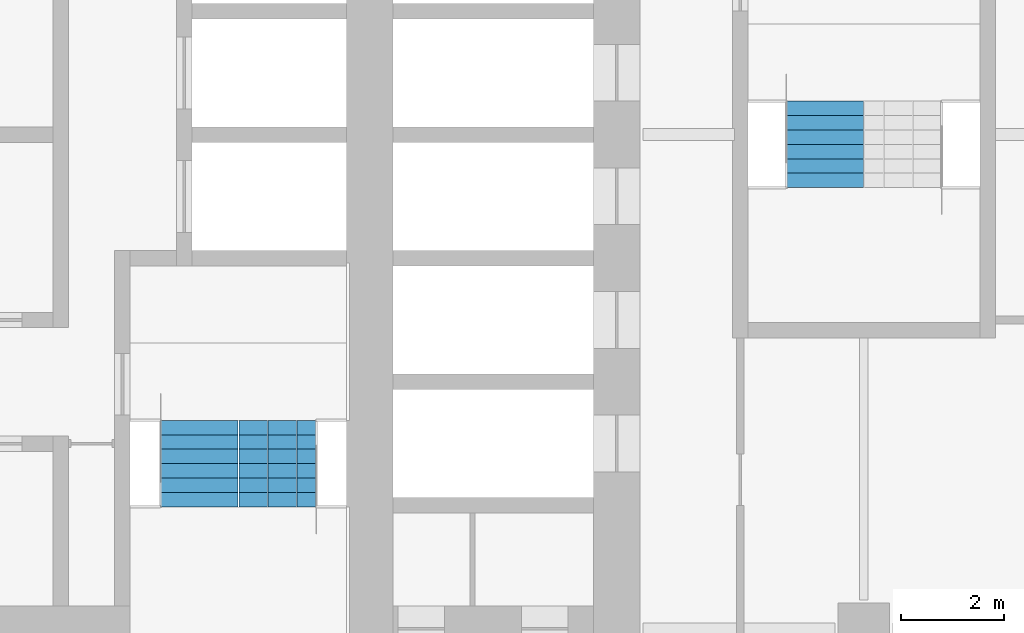
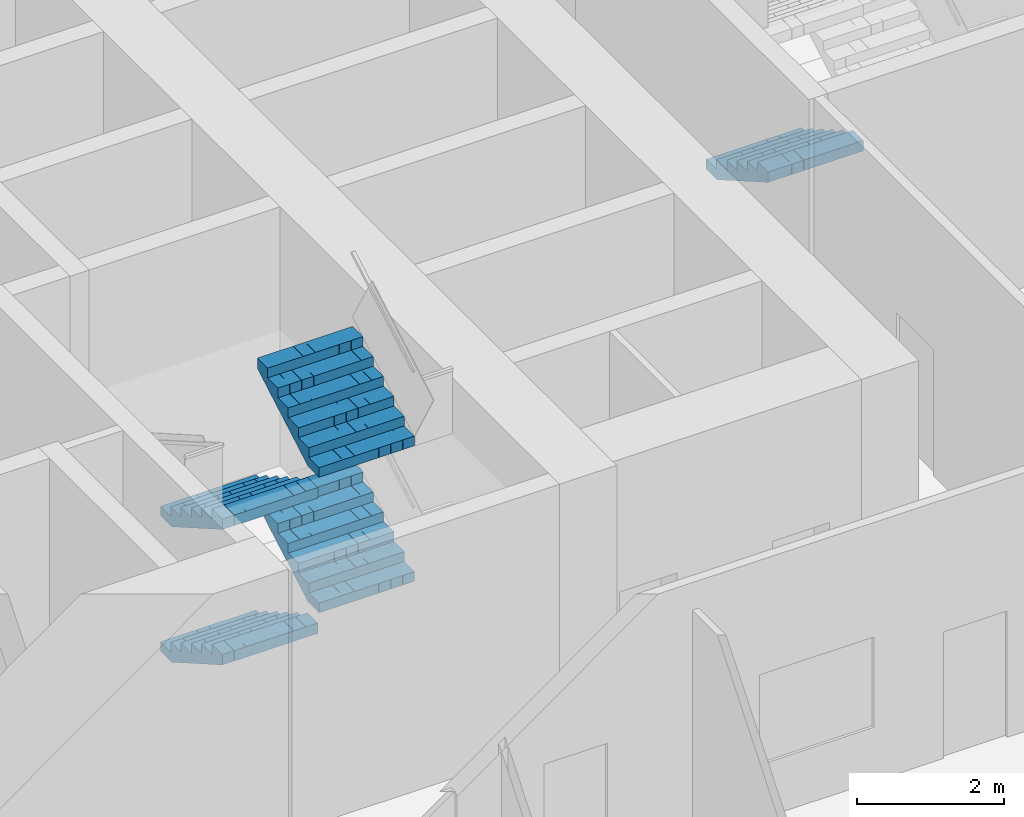
# One storey, part 19 of 23: 5 stair flights, 2 elements without a shape of their own.
"""IFC4 building model written with IfcOpenShell, lengths in metres."""

from ifc_helpers import new_model, si_unit, direction, frame, origin, place, context, subcontext, project, spatial, polyline, outline, extrude, material, type_object, element, aggregate, save


model = new_model("IFC4")

# Units and contexts
model_context = context("Model", 3, precision=1e-05, world=origin(), true_north=direction((0.0, 1.0)))
body_context = subcontext(model_context, "Body", "Model", "MODEL_VIEW")
ifc_project = project(units=[si_unit("LENGTHUNIT", "METRE"), si_unit("AREAUNIT", "SQUARE_METRE"), si_unit("VOLUMEUNIT", "CUBIC_METRE"), si_unit("PLANEANGLEUNIT", "RADIAN"), si_unit("MASSUNIT", "GRAM", prefix="KILO")], contexts=[model_context])

# Site, building, storey
site_placement = place(None, origin())
site = spatial("IfcSite", under=ifc_project, at=site_placement, CompositionType="ELEMENT")
building_placement = place(site_placement, origin())
building = spatial("IfcBuilding", under=site, at=building_placement, Name="Kolab Exchange Tower", CompositionType="ELEMENT")
storey_placement = place(building_placement, frame((0.0, 0.0, 77.89990234375)))
storey = spatial("IfcBuildingStorey", under=building, at=storey_placement, Name="L14", CompositionType="ELEMENT", Elevation=77.89990234375)

# Stair, stair flights
ifc_material = material(Name="Concrete C50/60", Category="concrete")
stair_type_1 = type_object("IfcStairType", Name="STAIR ST2 RISER 160.7", PredefinedType="DOUBLE_RETURN_STAIR", material=ifc_material)
stair_1_placement = place(storey_placement, origin())
stair_1 = element("IfcStair", 1, at=stair_1_placement, inside=storey, type_object=stair_type_1, Name="Stair 2", PredefinedType="DOUBLE_RETURN_STAIR")
stair_flight_type = type_object("IfcStairFlightType", Name="STAIR FLIGHT 1500 RISER 160.7", PredefinedType="STRAIGHT", material=ifc_material)
stair_flight_1_placement = place(storey_placement, frame((6.2900390625, -5.550048828125, 0.0), z_axis=(0.0, 0.0, 1.0), x_axis=(0.0, -1.0, 0.0)))
stair_flight_1 = element("IfcStairFlight", 2, at=stair_flight_1_placement, type_object=stair_flight_type, Name="ST2 flight 1", NumberOfRisers=7, NumberOfTreads=6, PredefinedType="STRAIGHT", RiserHeight=0.160714286, TreadLength=0.28, context=body_context, shape_type="SweptSolid", body=[
    extrude(outline(polyline([(0.0, 0.0), (0.0, 0.16064453125), (0.280029296875, 0.16064453125), (0.280029296875, 0.321533203125), (0.56005859375, 0.321533203125), (0.56005859375, 0.482177734375), (0.840087890625, 0.482177734375), (0.840087890625, 0.642822265625), (1.1201171875, 0.642822265625), (1.1201171875, 0.803466796875), (1.39990234375, 0.803466796875), (1.39990234375, 0.96435546875), (1.679931640625, 0.96435546875), (1.679931640625, 1.125), (1.679931640625, 0.79150390625), (0.301025390625, 0.0), (0.0, 0.0)])), frame((0.0, 0.75, 0.0), z_axis=(0.0, -1.0, 0.0), x_axis=(1.0, 0.0, 0.0)), (0.0, 0.0, 1.0), 0.185791015625),
    extrude(outline(polyline([(0.0, 0.0), (0.0, 0.16064453125), (0.280029296875, 0.16064453125), (0.280029296875, 0.321533203125), (0.56005859375, 0.321533203125), (0.56005859375, 0.482177734375), (0.840087890625, 0.482177734375), (0.840087890625, 0.642822265625), (1.1201171875, 0.642822265625), (1.1201171875, 0.803466796875), (1.39990234375, 0.803466796875), (1.39990234375, 0.96435546875), (1.679931640625, 0.96435546875), (1.679931640625, 1.125), (1.679931640625, 0.79150390625), (0.301025390625, 0.0), (0.0, 0.0)])), frame((0.0, 0.562255859375, 0.0), z_axis=(0.0, -1.0, 0.0), x_axis=(1.0, 0.0, 0.0)), (0.0, 0.0, 1.0), 0.185791015625),
    extrude(outline(polyline([(0.0, 0.0), (0.0, 0.16064453125), (0.280029296875, 0.16064453125), (0.280029296875, 0.321533203125), (0.56005859375, 0.321533203125), (0.56005859375, 0.482177734375), (0.840087890625, 0.482177734375), (0.840087890625, 0.642822265625), (1.1201171875, 0.642822265625), (1.1201171875, 0.803466796875), (1.39990234375, 0.803466796875), (1.39990234375, 0.96435546875), (1.679931640625, 0.96435546875), (1.679931640625, 1.125), (1.679931640625, 0.79150390625), (0.301025390625, 0.0), (0.0, 0.0)])), frame((0.0, 0.37451171875, 0.0), z_axis=(0.0, -1.0, 0.0), x_axis=(1.0, 0.0, 0.0)), (0.0, 0.0, 1.0), 0.185791015625),
    extrude(outline(polyline([(0.0, 0.0), (0.0, 0.16064453125), (0.280029296875, 0.16064453125), (0.280029296875, 0.321533203125), (0.56005859375, 0.321533203125), (0.56005859375, 0.482177734375), (0.840087890625, 0.482177734375), (0.840087890625, 0.642822265625), (1.1201171875, 0.642822265625), (1.1201171875, 0.803466796875), (1.39990234375, 0.803466796875), (1.39990234375, 0.96435546875), (1.679931640625, 0.96435546875), (1.679931640625, 1.125), (1.679931640625, 0.79150390625), (0.301025390625, 0.0), (0.0, 0.0)])), frame((0.0, 0.186767578125, 0.0), z_axis=(0.0, -1.0, 0.0), x_axis=(1.0, 0.0, 0.0)), (0.0, 0.0, 1.0), 0.185791015625),
    extrude(outline(polyline([(0.0, 0.0), (0.0, 0.16064453125), (0.280029296875, 0.16064453125), (0.280029296875, 0.321533203125), (0.56005859375, 0.321533203125), (0.56005859375, 0.482177734375), (0.840087890625, 0.482177734375), (0.840087890625, 0.642822265625), (1.1201171875, 0.642822265625), (1.1201171875, 0.803466796875), (1.39990234375, 0.803466796875), (1.39990234375, 0.96435546875), (1.679931640625, 0.96435546875), (1.679931640625, 1.125), (1.679931640625, 0.79150390625), (0.301025390625, 0.0), (0.0, 0.0)])), frame((0.0, -0.0009765625, 0.0), z_axis=(0.0, -1.0, 0.0), x_axis=(1.0, 0.0, 0.0)), (0.0, 0.0, 1.0), 0.185791015625),
    extrude(outline(polyline([(0.0, 0.0), (0.0, 0.16064453125), (0.280029296875, 0.16064453125), (0.280029296875, 0.321533203125), (0.56005859375, 0.321533203125), (0.56005859375, 0.482177734375), (0.840087890625, 0.482177734375), (0.840087890625, 0.642822265625), (1.1201171875, 0.642822265625), (1.1201171875, 0.803466796875), (1.39990234375, 0.803466796875), (1.39990234375, 0.96435546875), (1.679931640625, 0.96435546875), (1.679931640625, 1.125), (1.679931640625, 0.79150390625), (0.301025390625, 0.0), (0.0, 0.0)])), frame((0.0, -0.188720703125, 0.0), z_axis=(0.0, -1.0, 0.0), x_axis=(1.0, 0.0, 0.0)), (0.0, 0.0, 1.0), 0.185791015625),
    extrude(outline(polyline([(0.0, 0.0), (0.0, 0.16064453125), (0.280029296875, 0.16064453125), (0.280029296875, 0.321533203125), (0.56005859375, 0.321533203125), (0.56005859375, 0.482177734375), (0.840087890625, 0.482177734375), (0.840087890625, 0.642822265625), (1.1201171875, 0.642822265625), (1.1201171875, 0.803466796875), (1.39990234375, 0.803466796875), (1.39990234375, 0.96435546875), (1.679931640625, 0.96435546875), (1.679931640625, 1.125), (1.679931640625, 0.79150390625), (0.301025390625, 0.0), (0.0, 0.0)])), frame((0.0, -0.37646484375, 0.0), z_axis=(0.0, -1.0, 0.0), x_axis=(1.0, 0.0, 0.0)), (0.0, 0.0, 1.0), 0.185791015625),
    extrude(outline(polyline([(0.0, 0.0), (0.0, 0.16064453125), (0.280029296875, 0.16064453125), (0.280029296875, 0.321533203125), (0.56005859375, 0.321533203125), (0.56005859375, 0.482177734375), (0.840087890625, 0.482177734375), (0.840087890625, 0.642822265625), (1.1201171875, 0.642822265625), (1.1201171875, 0.803466796875), (1.39990234375, 0.803466796875), (1.39990234375, 0.96435546875), (1.679931640625, 0.96435546875), (1.679931640625, 1.125), (1.679931640625, 0.79150390625), (0.301025390625, 0.0), (0.0, 0.0)])), frame((0.0, -0.564208984375, 0.0), z_axis=(0.0, -1.0, 0.0), x_axis=(1.0, 0.0, 0.0)), (0.0, 0.0, 1.0), 0.185791015625),
])
stair_flight_2_placement = place(storey_placement, frame((7.81005859375, -7.22998046875, 1.125), z_axis=(0.0, 0.0, 1.0), x_axis=(0.0, 1.0, 0.0)))
stair_flight_2 = element("IfcStairFlight", 3, at=stair_flight_2_placement, type_object=stair_flight_type, Name="ST2 flight 2", NumberOfRisers=7, NumberOfTreads=6, PredefinedType="STRAIGHT", RiserHeight=0.160714286, TreadLength=0.28, context=body_context, shape_type="SweptSolid", body=[
    extrude(outline(polyline([(0.0, 0.0), (0.0, 0.16064453125), (0.280029296875, 0.16064453125), (0.280029296875, 0.321533203125), (0.56005859375, 0.321533203125), (0.56005859375, 0.482177734375), (0.840087890625, 0.482177734375), (0.840087890625, 0.642822265625), (1.1201171875, 0.642822265625), (1.1201171875, 0.803466796875), (1.39990234375, 0.803466796875), (1.39990234375, 0.96435546875), (1.679931640625, 0.96435546875), (1.679931640625, 1.125), (1.679931640625, 0.79150390625), (0.301025390625, 0.0), (0.0, 0.0)])), frame((0.0, 0.75, 0.0), z_axis=(0.0, -1.0, 0.0), x_axis=(1.0, 0.0, 0.0)), (0.0, 0.0, 1.0), 0.185791015625),
    extrude(outline(polyline([(0.0, 0.0), (0.0, 0.16064453125), (0.280029296875, 0.16064453125), (0.280029296875, 0.321533203125), (0.56005859375, 0.321533203125), (0.56005859375, 0.482177734375), (0.840087890625, 0.482177734375), (0.840087890625, 0.642822265625), (1.1201171875, 0.642822265625), (1.1201171875, 0.803466796875), (1.39990234375, 0.803466796875), (1.39990234375, 0.96435546875), (1.679931640625, 0.96435546875), (1.679931640625, 1.125), (1.679931640625, 0.79150390625), (0.301025390625, 0.0), (0.0, 0.0)])), frame((0.0, 0.562255859375, 0.0), z_axis=(0.0, -1.0, 0.0), x_axis=(1.0, 0.0, 0.0)), (0.0, 0.0, 1.0), 0.185791015625),
    extrude(outline(polyline([(0.0, 0.0), (0.0, 0.16064453125), (0.280029296875, 0.16064453125), (0.280029296875, 0.321533203125), (0.56005859375, 0.321533203125), (0.56005859375, 0.482177734375), (0.840087890625, 0.482177734375), (0.840087890625, 0.642822265625), (1.1201171875, 0.642822265625), (1.1201171875, 0.803466796875), (1.39990234375, 0.803466796875), (1.39990234375, 0.96435546875), (1.679931640625, 0.96435546875), (1.679931640625, 1.125), (1.679931640625, 0.79150390625), (0.301025390625, 0.0), (0.0, 0.0)])), frame((0.0, 0.37451171875, 0.0), z_axis=(0.0, -1.0, 0.0), x_axis=(1.0, 0.0, 0.0)), (0.0, 0.0, 1.0), 0.185791015625),
    extrude(outline(polyline([(0.0, 0.0), (0.0, 0.16064453125), (0.280029296875, 0.16064453125), (0.280029296875, 0.321533203125), (0.56005859375, 0.321533203125), (0.56005859375, 0.482177734375), (0.840087890625, 0.482177734375), (0.840087890625, 0.642822265625), (1.1201171875, 0.642822265625), (1.1201171875, 0.803466796875), (1.39990234375, 0.803466796875), (1.39990234375, 0.96435546875), (1.679931640625, 0.96435546875), (1.679931640625, 1.125), (1.679931640625, 0.79150390625), (0.301025390625, 0.0), (0.0, 0.0)])), frame((0.0, 0.186767578125, 0.0), z_axis=(0.0, -1.0, 0.0), x_axis=(1.0, 0.0, 0.0)), (0.0, 0.0, 1.0), 0.185791015625),
    extrude(outline(polyline([(0.0, 0.0), (0.0, 0.16064453125), (0.280029296875, 0.16064453125), (0.280029296875, 0.321533203125), (0.56005859375, 0.321533203125), (0.56005859375, 0.482177734375), (0.840087890625, 0.482177734375), (0.840087890625, 0.642822265625), (1.1201171875, 0.642822265625), (1.1201171875, 0.803466796875), (1.39990234375, 0.803466796875), (1.39990234375, 0.96435546875), (1.679931640625, 0.96435546875), (1.679931640625, 1.125), (1.679931640625, 0.79150390625), (0.301025390625, 0.0), (0.0, 0.0)])), frame((0.0, -0.0009765625, 0.0), z_axis=(0.0, -1.0, 0.0), x_axis=(1.0, 0.0, 0.0)), (0.0, 0.0, 1.0), 0.185791015625),
    extrude(outline(polyline([(0.0, 0.0), (0.0, 0.16064453125), (0.280029296875, 0.16064453125), (0.280029296875, 0.321533203125), (0.56005859375, 0.321533203125), (0.56005859375, 0.482177734375), (0.840087890625, 0.482177734375), (0.840087890625, 0.642822265625), (1.1201171875, 0.642822265625), (1.1201171875, 0.803466796875), (1.39990234375, 0.803466796875), (1.39990234375, 0.96435546875), (1.679931640625, 0.96435546875), (1.679931640625, 1.125), (1.679931640625, 0.79150390625), (0.301025390625, 0.0), (0.0, 0.0)])), frame((0.0, -0.188720703125, 0.0), z_axis=(0.0, -1.0, 0.0), x_axis=(1.0, 0.0, 0.0)), (0.0, 0.0, 1.0), 0.185791015625),
    extrude(outline(polyline([(0.0, 0.0), (0.0, 0.16064453125), (0.280029296875, 0.16064453125), (0.280029296875, 0.321533203125), (0.56005859375, 0.321533203125), (0.56005859375, 0.482177734375), (0.840087890625, 0.482177734375), (0.840087890625, 0.642822265625), (1.1201171875, 0.642822265625), (1.1201171875, 0.803466796875), (1.39990234375, 0.803466796875), (1.39990234375, 0.96435546875), (1.679931640625, 0.96435546875), (1.679931640625, 1.125), (1.679931640625, 0.79150390625), (0.301025390625, 0.0), (0.0, 0.0)])), frame((0.0, -0.37646484375, 0.0), z_axis=(0.0, -1.0, 0.0), x_axis=(1.0, 0.0, 0.0)), (0.0, 0.0, 1.0), 0.185791015625),
    extrude(outline(polyline([(0.0, 0.0), (0.0, 0.16064453125), (0.280029296875, 0.16064453125), (0.280029296875, 0.321533203125), (0.56005859375, 0.321533203125), (0.56005859375, 0.482177734375), (0.840087890625, 0.482177734375), (0.840087890625, 0.642822265625), (1.1201171875, 0.642822265625), (1.1201171875, 0.803466796875), (1.39990234375, 0.803466796875), (1.39990234375, 0.96435546875), (1.679931640625, 0.96435546875), (1.679931640625, 1.125), (1.679931640625, 0.79150390625), (0.301025390625, 0.0), (0.0, 0.0)])), frame((0.0, -0.564208984375, 0.0), z_axis=(0.0, -1.0, 0.0), x_axis=(1.0, 0.0, 0.0)), (0.0, 0.0, 1.0), 0.185791015625),
])
stair_flight_3_placement = place(storey_placement, frame((6.2900390625, -5.550048828125, 2.25), z_axis=(0.0, 0.0, 1.0), x_axis=(0.0, -1.0, 0.0)))
stair_flight_3 = element("IfcStairFlight", 4, at=stair_flight_3_placement, type_object=stair_flight_type, Name="ST2 flight 3", NumberOfRisers=7, NumberOfTreads=6, PredefinedType="STRAIGHT", RiserHeight=0.160714286, TreadLength=0.28, context=body_context, shape_type="SweptSolid", body=[
    extrude(outline(polyline([(0.0, 0.0), (0.0, 0.16064453125), (0.280029296875, 0.16064453125), (0.280029296875, 0.321533203125), (0.56005859375, 0.321533203125), (0.56005859375, 0.482177734375), (0.840087890625, 0.482177734375), (0.840087890625, 0.642822265625), (1.1201171875, 0.642822265625), (1.1201171875, 0.803466796875), (1.39990234375, 0.803466796875), (1.39990234375, 0.96435546875), (1.679931640625, 0.96435546875), (1.679931640625, 1.125), (1.679931640625, 0.79150390625), (0.301025390625, 0.0), (0.0, 0.0)])), frame((0.0, 0.75, 0.0), z_axis=(0.0, -1.0, 0.0), x_axis=(1.0, 0.0, 0.0)), (0.0, 0.0, 1.0), 0.185791015625),
    extrude(outline(polyline([(0.0, 0.0), (0.0, 0.16064453125), (0.280029296875, 0.16064453125), (0.280029296875, 0.321533203125), (0.56005859375, 0.321533203125), (0.56005859375, 0.482177734375), (0.840087890625, 0.482177734375), (0.840087890625, 0.642822265625), (1.1201171875, 0.642822265625), (1.1201171875, 0.803466796875), (1.39990234375, 0.803466796875), (1.39990234375, 0.96435546875), (1.679931640625, 0.96435546875), (1.679931640625, 1.125), (1.679931640625, 0.79150390625), (0.301025390625, 0.0), (0.0, 0.0)])), frame((0.0, 0.562255859375, 0.0), z_axis=(0.0, -1.0, 0.0), x_axis=(1.0, 0.0, 0.0)), (0.0, 0.0, 1.0), 0.185791015625),
    extrude(outline(polyline([(0.0, 0.0), (0.0, 0.16064453125), (0.280029296875, 0.16064453125), (0.280029296875, 0.321533203125), (0.56005859375, 0.321533203125), (0.56005859375, 0.482177734375), (0.840087890625, 0.482177734375), (0.840087890625, 0.642822265625), (1.1201171875, 0.642822265625), (1.1201171875, 0.803466796875), (1.39990234375, 0.803466796875), (1.39990234375, 0.96435546875), (1.679931640625, 0.96435546875), (1.679931640625, 1.125), (1.679931640625, 0.79150390625), (0.301025390625, 0.0), (0.0, 0.0)])), frame((0.0, 0.37451171875, 0.0), z_axis=(0.0, -1.0, 0.0), x_axis=(1.0, 0.0, 0.0)), (0.0, 0.0, 1.0), 0.185791015625),
    extrude(outline(polyline([(0.0, 0.0), (0.0, 0.16064453125), (0.280029296875, 0.16064453125), (0.280029296875, 0.321533203125), (0.56005859375, 0.321533203125), (0.56005859375, 0.482177734375), (0.840087890625, 0.482177734375), (0.840087890625, 0.642822265625), (1.1201171875, 0.642822265625), (1.1201171875, 0.803466796875), (1.39990234375, 0.803466796875), (1.39990234375, 0.96435546875), (1.679931640625, 0.96435546875), (1.679931640625, 1.125), (1.679931640625, 0.79150390625), (0.301025390625, 0.0), (0.0, 0.0)])), frame((0.0, 0.186767578125, 0.0), z_axis=(0.0, -1.0, 0.0), x_axis=(1.0, 0.0, 0.0)), (0.0, 0.0, 1.0), 0.185791015625),
    extrude(outline(polyline([(0.0, 0.0), (0.0, 0.16064453125), (0.280029296875, 0.16064453125), (0.280029296875, 0.321533203125), (0.56005859375, 0.321533203125), (0.56005859375, 0.482177734375), (0.840087890625, 0.482177734375), (0.840087890625, 0.642822265625), (1.1201171875, 0.642822265625), (1.1201171875, 0.803466796875), (1.39990234375, 0.803466796875), (1.39990234375, 0.96435546875), (1.679931640625, 0.96435546875), (1.679931640625, 1.125), (1.679931640625, 0.79150390625), (0.301025390625, 0.0), (0.0, 0.0)])), frame((0.0, -0.0009765625, 0.0), z_axis=(0.0, -1.0, 0.0), x_axis=(1.0, 0.0, 0.0)), (0.0, 0.0, 1.0), 0.185791015625),
    extrude(outline(polyline([(0.0, 0.0), (0.0, 0.16064453125), (0.280029296875, 0.16064453125), (0.280029296875, 0.321533203125), (0.56005859375, 0.321533203125), (0.56005859375, 0.482177734375), (0.840087890625, 0.482177734375), (0.840087890625, 0.642822265625), (1.1201171875, 0.642822265625), (1.1201171875, 0.803466796875), (1.39990234375, 0.803466796875), (1.39990234375, 0.96435546875), (1.679931640625, 0.96435546875), (1.679931640625, 1.125), (1.679931640625, 0.79150390625), (0.301025390625, 0.0), (0.0, 0.0)])), frame((0.0, -0.188720703125, 0.0), z_axis=(0.0, -1.0, 0.0), x_axis=(1.0, 0.0, 0.0)), (0.0, 0.0, 1.0), 0.185791015625),
    extrude(outline(polyline([(0.0, 0.0), (0.0, 0.16064453125), (0.280029296875, 0.16064453125), (0.280029296875, 0.321533203125), (0.56005859375, 0.321533203125), (0.56005859375, 0.482177734375), (0.840087890625, 0.482177734375), (0.840087890625, 0.642822265625), (1.1201171875, 0.642822265625), (1.1201171875, 0.803466796875), (1.39990234375, 0.803466796875), (1.39990234375, 0.96435546875), (1.679931640625, 0.96435546875), (1.679931640625, 1.125), (1.679931640625, 0.79150390625), (0.301025390625, 0.0), (0.0, 0.0)])), frame((0.0, -0.37646484375, 0.0), z_axis=(0.0, -1.0, 0.0), x_axis=(1.0, 0.0, 0.0)), (0.0, 0.0, 1.0), 0.185791015625),
    extrude(outline(polyline([(0.0, 0.0), (0.0, 0.16064453125), (0.280029296875, 0.16064453125), (0.280029296875, 0.321533203125), (0.56005859375, 0.321533203125), (0.56005859375, 0.482177734375), (0.840087890625, 0.482177734375), (0.840087890625, 0.642822265625), (1.1201171875, 0.642822265625), (1.1201171875, 0.803466796875), (1.39990234375, 0.803466796875), (1.39990234375, 0.96435546875), (1.679931640625, 0.96435546875), (1.679931640625, 1.125), (1.679931640625, 0.79150390625), (0.301025390625, 0.0), (0.0, 0.0)])), frame((0.0, -0.564208984375, 0.0), z_axis=(0.0, -1.0, 0.0), x_axis=(1.0, 0.0, 0.0)), (0.0, 0.0, 1.0), 0.185791015625),
])
stair_flight_4_placement = place(storey_placement, frame((7.81005859375, -7.22998046875, 3.375), z_axis=(0.0, 0.0, 1.0), x_axis=(0.0, 1.0, 0.0)))
stair_flight_4 = element("IfcStairFlight", 5, at=stair_flight_4_placement, type_object=stair_flight_type, Name="ST2 flight 4", NumberOfRisers=7, NumberOfTreads=6, PredefinedType="STRAIGHT", RiserHeight=0.160714286, TreadLength=0.28, context=body_context, shape_type="SweptSolid", body=[
    extrude(outline(polyline([(0.0, 0.0), (0.0, 0.16064453125), (0.280029296875, 0.16064453125), (0.280029296875, 0.321533203125), (0.56005859375, 0.321533203125), (0.56005859375, 0.482177734375), (0.840087890625, 0.482177734375), (0.840087890625, 0.642822265625), (1.1201171875, 0.642822265625), (1.1201171875, 0.803466796875), (1.39990234375, 0.803466796875), (1.39990234375, 0.96435546875), (1.679931640625, 0.96435546875), (1.679931640625, 1.125), (1.679931640625, 0.79150390625), (0.301025390625, 0.0), (0.0, 0.0)])), frame((0.0, 0.75, 0.0), z_axis=(0.0, -1.0, 0.0), x_axis=(1.0, 0.0, 0.0)), (0.0, 0.0, 1.0), 0.185791015625),
    extrude(outline(polyline([(0.0, 0.0), (0.0, 0.16064453125), (0.280029296875, 0.16064453125), (0.280029296875, 0.321533203125), (0.56005859375, 0.321533203125), (0.56005859375, 0.482177734375), (0.840087890625, 0.482177734375), (0.840087890625, 0.642822265625), (1.1201171875, 0.642822265625), (1.1201171875, 0.803466796875), (1.39990234375, 0.803466796875), (1.39990234375, 0.96435546875), (1.679931640625, 0.96435546875), (1.679931640625, 1.125), (1.679931640625, 0.79150390625), (0.301025390625, 0.0), (0.0, 0.0)])), frame((0.0, 0.562255859375, 0.0), z_axis=(0.0, -1.0, 0.0), x_axis=(1.0, 0.0, 0.0)), (0.0, 0.0, 1.0), 0.185791015625),
    extrude(outline(polyline([(0.0, 0.0), (0.0, 0.16064453125), (0.280029296875, 0.16064453125), (0.280029296875, 0.321533203125), (0.56005859375, 0.321533203125), (0.56005859375, 0.482177734375), (0.840087890625, 0.482177734375), (0.840087890625, 0.642822265625), (1.1201171875, 0.642822265625), (1.1201171875, 0.803466796875), (1.39990234375, 0.803466796875), (1.39990234375, 0.96435546875), (1.679931640625, 0.96435546875), (1.679931640625, 1.125), (1.679931640625, 0.79150390625), (0.301025390625, 0.0), (0.0, 0.0)])), frame((0.0, 0.37451171875, 0.0), z_axis=(0.0, -1.0, 0.0), x_axis=(1.0, 0.0, 0.0)), (0.0, 0.0, 1.0), 0.185791015625),
    extrude(outline(polyline([(0.0, 0.0), (0.0, 0.16064453125), (0.280029296875, 0.16064453125), (0.280029296875, 0.321533203125), (0.56005859375, 0.321533203125), (0.56005859375, 0.482177734375), (0.840087890625, 0.482177734375), (0.840087890625, 0.642822265625), (1.1201171875, 0.642822265625), (1.1201171875, 0.803466796875), (1.39990234375, 0.803466796875), (1.39990234375, 0.96435546875), (1.679931640625, 0.96435546875), (1.679931640625, 1.125), (1.679931640625, 0.79150390625), (0.301025390625, 0.0), (0.0, 0.0)])), frame((0.0, 0.186767578125, 0.0), z_axis=(0.0, -1.0, 0.0), x_axis=(1.0, 0.0, 0.0)), (0.0, 0.0, 1.0), 0.185791015625),
    extrude(outline(polyline([(0.0, 0.0), (0.0, 0.16064453125), (0.280029296875, 0.16064453125), (0.280029296875, 0.321533203125), (0.56005859375, 0.321533203125), (0.56005859375, 0.482177734375), (0.840087890625, 0.482177734375), (0.840087890625, 0.642822265625), (1.1201171875, 0.642822265625), (1.1201171875, 0.803466796875), (1.39990234375, 0.803466796875), (1.39990234375, 0.96435546875), (1.679931640625, 0.96435546875), (1.679931640625, 1.125), (1.679931640625, 0.79150390625), (0.301025390625, 0.0), (0.0, 0.0)])), frame((0.0, -0.0009765625, 0.0), z_axis=(0.0, -1.0, 0.0), x_axis=(1.0, 0.0, 0.0)), (0.0, 0.0, 1.0), 0.185791015625),
    extrude(outline(polyline([(0.0, 0.0), (0.0, 0.16064453125), (0.280029296875, 0.16064453125), (0.280029296875, 0.321533203125), (0.56005859375, 0.321533203125), (0.56005859375, 0.482177734375), (0.840087890625, 0.482177734375), (0.840087890625, 0.642822265625), (1.1201171875, 0.642822265625), (1.1201171875, 0.803466796875), (1.39990234375, 0.803466796875), (1.39990234375, 0.96435546875), (1.679931640625, 0.96435546875), (1.679931640625, 1.125), (1.679931640625, 0.79150390625), (0.301025390625, 0.0), (0.0, 0.0)])), frame((0.0, -0.188720703125, 0.0), z_axis=(0.0, -1.0, 0.0), x_axis=(1.0, 0.0, 0.0)), (0.0, 0.0, 1.0), 0.185791015625),
    extrude(outline(polyline([(0.0, 0.0), (0.0, 0.16064453125), (0.280029296875, 0.16064453125), (0.280029296875, 0.321533203125), (0.56005859375, 0.321533203125), (0.56005859375, 0.482177734375), (0.840087890625, 0.482177734375), (0.840087890625, 0.642822265625), (1.1201171875, 0.642822265625), (1.1201171875, 0.803466796875), (1.39990234375, 0.803466796875), (1.39990234375, 0.96435546875), (1.679931640625, 0.96435546875), (1.679931640625, 1.125), (1.679931640625, 0.79150390625), (0.301025390625, 0.0), (0.0, 0.0)])), frame((0.0, -0.37646484375, 0.0), z_axis=(0.0, -1.0, 0.0), x_axis=(1.0, 0.0, 0.0)), (0.0, 0.0, 1.0), 0.185791015625),
    extrude(outline(polyline([(0.0, 0.0), (0.0, 0.16064453125), (0.280029296875, 0.16064453125), (0.280029296875, 0.321533203125), (0.56005859375, 0.321533203125), (0.56005859375, 0.482177734375), (0.840087890625, 0.482177734375), (0.840087890625, 0.642822265625), (1.1201171875, 0.642822265625), (1.1201171875, 0.803466796875), (1.39990234375, 0.803466796875), (1.39990234375, 0.96435546875), (1.679931640625, 0.96435546875), (1.679931640625, 1.125), (1.679931640625, 0.79150390625), (0.301025390625, 0.0), (0.0, 0.0)])), frame((0.0, -0.564208984375, 0.0), z_axis=(0.0, -1.0, 0.0), x_axis=(1.0, 0.0, 0.0)), (0.0, 0.0, 1.0), 0.185791015625),
])
aggregate(stair_1, [stair_flight_1, stair_flight_2, stair_flight_3, stair_flight_4])

# Stair, stair flight
stair_type_2 = type_object("IfcStairType", Name="STAIR ST4 RISER 160.7", PredefinedType="DOUBLE_RETURN_STAIR", material=ifc_material)
stair_2_placement = place(storey_placement, origin())
stair_2 = element("IfcStair", 6, at=stair_2_placement, inside=storey, type_object=stair_type_2, Name="Stair 4", PredefinedType="DOUBLE_RETURN_STAIR")
stair_flight_5_placement = place(storey_placement, frame((18.43994140625, 0.64990234375, 0.0), z_axis=(0.0, 0.0, 1.0), x_axis=(0.0, -1.0, 0.0)))
stair_flight_5 = element("IfcStairFlight", 7, at=stair_flight_5_placement, type_object=stair_flight_type, Name="ST4 flight 1", NumberOfRisers=7, NumberOfTreads=6, PredefinedType="STRAIGHT", RiserHeight=0.160714286, TreadLength=0.28, context=body_context, shape_type="SweptSolid", body=[
    extrude(outline(polyline([(0.0, 0.0), (0.0, 0.16064453125), (0.280029296875, 0.16064453125), (0.280029296875, 0.321533203125), (0.56005859375, 0.321533203125), (0.56005859375, 0.482177734375), (0.840087890625, 0.482177734375), (0.840087890625, 0.642822265625), (1.1201171875, 0.642822265625), (1.1201171875, 0.803466796875), (1.39990234375, 0.803466796875), (1.39990234375, 0.96435546875), (1.679931640625, 0.96435546875), (1.679931640625, 1.125), (1.679931640625, 0.79150390625), (0.301025390625, 0.0), (0.0, 0.0)])), frame((0.0, 0.75, 0.0), z_axis=(0.0, -1.0, 0.0), x_axis=(1.0, 0.0, 0.0)), (0.0, 0.0, 1.0), 0.185791015625),
    extrude(outline(polyline([(0.0, 0.0), (0.0, 0.16064453125), (0.280029296875, 0.16064453125), (0.280029296875, 0.321533203125), (0.56005859375, 0.321533203125), (0.56005859375, 0.482177734375), (0.840087890625, 0.482177734375), (0.840087890625, 0.642822265625), (1.1201171875, 0.642822265625), (1.1201171875, 0.803466796875), (1.39990234375, 0.803466796875), (1.39990234375, 0.96435546875), (1.679931640625, 0.96435546875), (1.679931640625, 1.125), (1.679931640625, 0.79150390625), (0.301025390625, 0.0), (0.0, 0.0)])), frame((0.0, 0.562255859375, 0.0), z_axis=(0.0, -1.0, 0.0), x_axis=(1.0, 0.0, 0.0)), (0.0, 0.0, 1.0), 0.185791015625),
    extrude(outline(polyline([(0.0, 0.0), (0.0, 0.16064453125), (0.280029296875, 0.16064453125), (0.280029296875, 0.321533203125), (0.56005859375, 0.321533203125), (0.56005859375, 0.482177734375), (0.840087890625, 0.482177734375), (0.840087890625, 0.642822265625), (1.1201171875, 0.642822265625), (1.1201171875, 0.803466796875), (1.39990234375, 0.803466796875), (1.39990234375, 0.96435546875), (1.679931640625, 0.96435546875), (1.679931640625, 1.125), (1.679931640625, 0.79150390625), (0.301025390625, 0.0), (0.0, 0.0)])), frame((0.0, 0.37451171875, 0.0), z_axis=(0.0, -1.0, 0.0), x_axis=(1.0, 0.0, 0.0)), (0.0, 0.0, 1.0), 0.185791015625),
    extrude(outline(polyline([(0.0, 0.0), (0.0, 0.16064453125), (0.280029296875, 0.16064453125), (0.280029296875, 0.321533203125), (0.56005859375, 0.321533203125), (0.56005859375, 0.482177734375), (0.840087890625, 0.482177734375), (0.840087890625, 0.642822265625), (1.1201171875, 0.642822265625), (1.1201171875, 0.803466796875), (1.39990234375, 0.803466796875), (1.39990234375, 0.96435546875), (1.679931640625, 0.96435546875), (1.679931640625, 1.125), (1.679931640625, 0.79150390625), (0.301025390625, 0.0), (0.0, 0.0)])), frame((0.0, 0.186767578125, 0.0), z_axis=(0.0, -1.0, 0.0), x_axis=(1.0, 0.0, 0.0)), (0.0, 0.0, 1.0), 0.185791015625),
    extrude(outline(polyline([(0.0, 0.0), (0.0, 0.16064453125), (0.280029296875, 0.16064453125), (0.280029296875, 0.321533203125), (0.56005859375, 0.321533203125), (0.56005859375, 0.482177734375), (0.840087890625, 0.482177734375), (0.840087890625, 0.642822265625), (1.1201171875, 0.642822265625), (1.1201171875, 0.803466796875), (1.39990234375, 0.803466796875), (1.39990234375, 0.96435546875), (1.679931640625, 0.96435546875), (1.679931640625, 1.125), (1.679931640625, 0.79150390625), (0.301025390625, 0.0), (0.0, 0.0)])), frame((0.0, -0.0009765625, 0.0), z_axis=(0.0, -1.0, 0.0), x_axis=(1.0, 0.0, 0.0)), (0.0, 0.0, 1.0), 0.185791015625),
    extrude(outline(polyline([(0.0, 0.0), (0.0, 0.16064453125), (0.280029296875, 0.16064453125), (0.280029296875, 0.321533203125), (0.56005859375, 0.321533203125), (0.56005859375, 0.482177734375), (0.840087890625, 0.482177734375), (0.840087890625, 0.642822265625), (1.1201171875, 0.642822265625), (1.1201171875, 0.803466796875), (1.39990234375, 0.803466796875), (1.39990234375, 0.96435546875), (1.679931640625, 0.96435546875), (1.679931640625, 1.125), (1.679931640625, 0.79150390625), (0.301025390625, 0.0), (0.0, 0.0)])), frame((0.0, -0.188720703125, 0.0), z_axis=(0.0, -1.0, 0.0), x_axis=(1.0, 0.0, 0.0)), (0.0, 0.0, 1.0), 0.185791015625),
    extrude(outline(polyline([(0.0, 0.0), (0.0, 0.16064453125), (0.280029296875, 0.16064453125), (0.280029296875, 0.321533203125), (0.56005859375, 0.321533203125), (0.56005859375, 0.482177734375), (0.840087890625, 0.482177734375), (0.840087890625, 0.642822265625), (1.1201171875, 0.642822265625), (1.1201171875, 0.803466796875), (1.39990234375, 0.803466796875), (1.39990234375, 0.96435546875), (1.679931640625, 0.96435546875), (1.679931640625, 1.125), (1.679931640625, 0.79150390625), (0.301025390625, 0.0), (0.0, 0.0)])), frame((0.0, -0.37646484375, 0.0), z_axis=(0.0, -1.0, 0.0), x_axis=(1.0, 0.0, 0.0)), (0.0, 0.0, 1.0), 0.185791015625),
    extrude(outline(polyline([(0.0, 0.0), (0.0, 0.16064453125), (0.280029296875, 0.16064453125), (0.280029296875, 0.321533203125), (0.56005859375, 0.321533203125), (0.56005859375, 0.482177734375), (0.840087890625, 0.482177734375), (0.840087890625, 0.642822265625), (1.1201171875, 0.642822265625), (1.1201171875, 0.803466796875), (1.39990234375, 0.803466796875), (1.39990234375, 0.96435546875), (1.679931640625, 0.96435546875), (1.679931640625, 1.125), (1.679931640625, 0.79150390625), (0.301025390625, 0.0), (0.0, 0.0)])), frame((0.0, -0.564208984375, 0.0), z_axis=(0.0, -1.0, 0.0), x_axis=(1.0, 0.0, 0.0)), (0.0, 0.0, 1.0), 0.185791015625),
])
aggregate(stair_2, [stair_flight_5])

save(model, "model.ifc")
